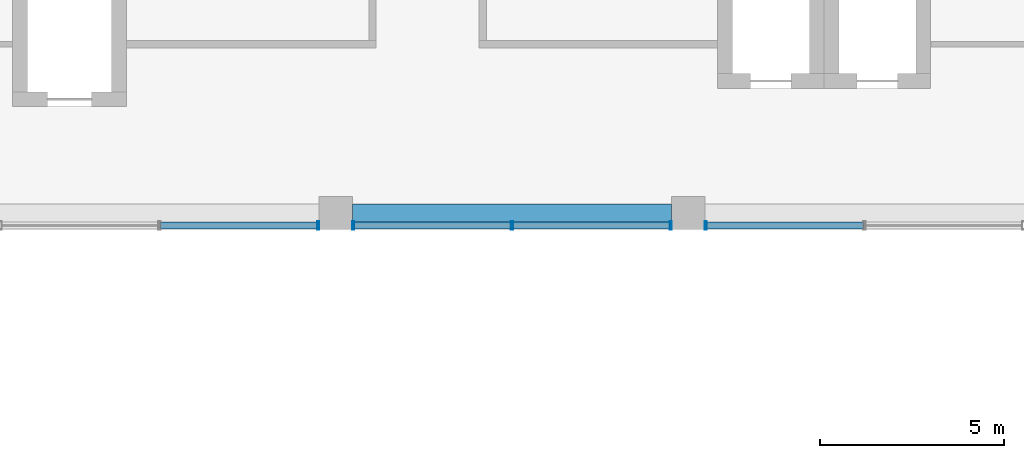
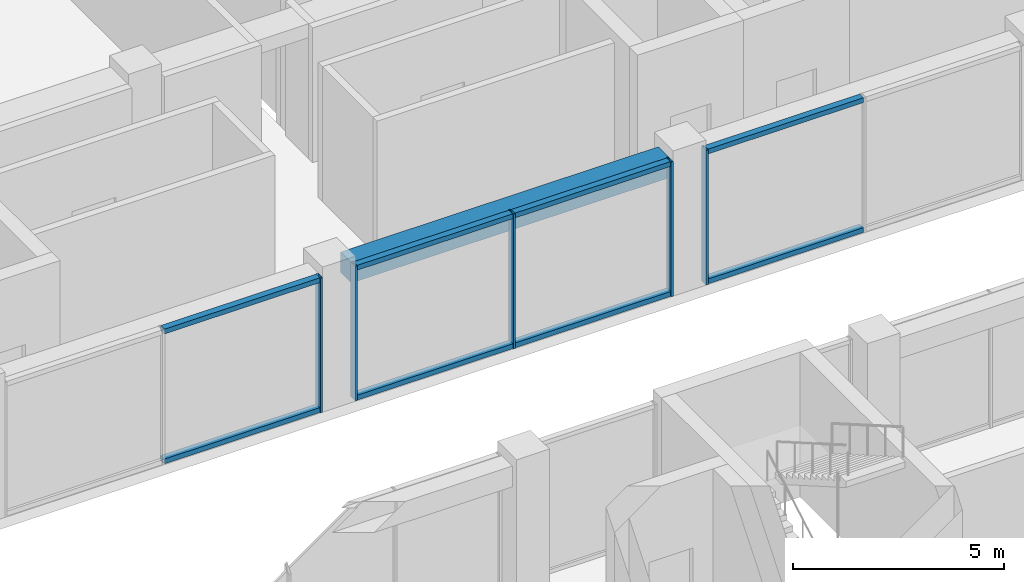
# One storey, part 10 of 37: 13 members, 1 beam, 3 elements without a shape of their own.
"""IFC4 building model written with IfcOpenShell, lengths in metres."""

import ifcopenshell
import ifcopenshell.guid

model = None  # the IFC model being written
_history = None  # IfcOwnerHistory: only IFC2X3 demands one
_inside = {}  # id of a spatial element -> (the spatial element, [elements in it])
_under = {}  # id of a project, library or spatial element -> (it, [spatial elements below it])
_declared = {}  # id of a project -> (the project, [libraries it declares])
_typed = {}  # id of a type object -> (the type object, [elements of that type])
_made_of = {}  # id of a material, layer set ... -> (it, [elements and type objects made of it])


def new_model(schema):
    """Start an empty IFC model of exactly this schema.

    Asked for "IFC4X3", IfcOpenShell would pick the latest addendum, in which some entities
    have other attributes; the version numbers below select the first issue.
    IFC2X3 requires an IfcOwnerHistory on every rooted entity: one is made here for all.
    """
    global model, _history
    if schema == "IFC4X3":
        model = ifcopenshell.file(schema_version=(4, 3, 0, 0))
    else:
        model = ifcopenshell.file(schema=schema)
    _inside.clear()
    _under.clear()
    _declared.clear()
    _typed.clear()
    _made_of.clear()
    _history = None
    if model.schema == "IFC2X3":
        org = make("IfcOrganization", Name="unknown")
        user = make(
            "IfcPersonAndOrganization",
            ThePerson=make("IfcPerson", FamilyName="unknown"),
            TheOrganization=org,
        )
        app = make(
            "IfcApplication",
            ApplicationDeveloper=org,
            Version="unknown",
            ApplicationFullName="unknown",
            ApplicationIdentifier="unknown",
        )
        _history = make(
            "IfcOwnerHistory",
            OwningUser=user,
            OwningApplication=app,
            ChangeAction="ADDED",
            CreationDate=0,
        )
    return model


def make(cls, **values):
    """One entity of the class cls with the attributes given. An attribute that is None is left unset."""
    return model.create_entity(
        cls, **{name: value for name, value in values.items() if value is not None}
    )


def rooted(cls, **values):
    """An entity with a GlobalId (a new one), such as an element, a storey or a relation."""
    return make(cls, GlobalId=ifcopenshell.guid.new(), OwnerHistory=_history, **values)


def si_unit(unit_type, name, prefix=None):
    """IfcSIUnit, for example si_unit("LENGTHUNIT", "METRE", prefix="MILLI")."""
    return make("IfcSIUnit", UnitType=unit_type, Prefix=prefix, Name=name)


def assignment(units):
    """IfcUnitAssignment: the units of a project."""
    return None if units is None else make("IfcUnitAssignment", Units=units)


def point(xyz):
    """IfcCartesianPoint."""
    return None if xyz is None else make("IfcCartesianPoint", Coordinates=xyz)


def direction(xyz):
    """IfcDirection."""
    return None if xyz is None else make("IfcDirection", DirectionRatios=xyz)


def frame(location, z_axis=None, x_axis=None):
    """IfcAxis2Placement3D, a coordinate frame: its origin and axes. An axis left out is left unset."""
    return make(
        "IfcAxis2Placement3D",
        Location=point(location),
        Axis=direction(z_axis),
        RefDirection=direction(x_axis),
    )


def frame_2d(location, x_axis=None):
    """IfcAxis2Placement2D, a coordinate frame in the plane: its origin and x axis."""
    return make(
        "IfcAxis2Placement2D", Location=point(location), RefDirection=direction(x_axis)
    )


def origin():
    """The frame at (0, 0, 0) with its axes left unset."""
    return frame((0.0, 0.0, 0.0))


def origin_2d():
    """The frame at (0, 0) in the plane with its x axis left unset."""
    return frame_2d((0.0, 0.0))


def place(relative_to, where):
    """IfcLocalPlacement: puts the frame where relative to a parent placement (None: the world)."""
    return make(
        "IfcLocalPlacement", PlacementRelTo=relative_to, RelativePlacement=where
    )


def context(
    kind, dimensions, precision=None, world=None, true_north=None, identifier=None
):
    """IfcGeometricRepresentationContext, for example the 3D "Model" context."""
    return make(
        "IfcGeometricRepresentationContext",
        ContextIdentifier=identifier,
        ContextType=kind,
        CoordinateSpaceDimension=dimensions,
        Precision=precision,
        WorldCoordinateSystem=world,
        TrueNorth=true_north,
    )


def subcontext(parent, identifier, kind, view, scale=None):
    """IfcGeometricRepresentationSubContext, for example "Body" below "Model"."""
    return make(
        "IfcGeometricRepresentationSubContext",
        ContextIdentifier=identifier,
        ContextType=kind,
        ParentContext=parent,
        TargetScale=scale,
        TargetView=view,
    )


def project(units=None, contexts=None):
    """IfcProject with its units and contexts."""
    return rooted(
        "IfcProject",
        Name="project",
        RepresentationContexts=contexts,
        UnitsInContext=assignment(units),
    )


def spatial(cls, under=None, at=None, **own):
    """A site, building, storey or space (cls), placed at a placement, below another one or the project."""
    s = rooted(cls, ObjectPlacement=at, **own)
    if under is not None:
        _under.setdefault(under.id(), (under, []))[1].append(s)
    return s


def profile(cls, at=None, kind="AREA", **sizes):
    """A parametric profile (cls). Its sizes go by their IFC names, for example OverallWidth=200.0."""
    return make(cls, ProfileType=kind, Position=at, **sizes)


def rectangle(**sizes):
    """IfcRectangleProfileDef."""
    return profile("IfcRectangleProfileDef", **sizes)


def hollow_rectangle(**sizes):
    """IfcRectangleHollowProfileDef."""
    return profile("IfcRectangleHollowProfileDef", **sizes)


def extrude(swept, where, along, depth):
    """IfcExtrudedAreaSolid: the profile swept, set in the frame where, extruded along a direction by depth."""
    return make(
        "IfcExtrudedAreaSolid",
        SweptArea=swept,
        Position=where,
        ExtrudedDirection=direction(along),
        Depth=depth,
    )


def shape(context_of_items, identifier, shape_type, items):
    """IfcShapeRepresentation: the items that make up one representation, for example the "Body"."""
    return make(
        "IfcShapeRepresentation",
        ContextOfItems=context_of_items,
        RepresentationIdentifier=identifier,
        RepresentationType=shape_type,
        Items=items,
    )


def material(Name=None, Category=None):
    """IfcMaterial."""
    return make("IfcMaterial", Name=Name, Category=Category)


def layer(
    of_material, thickness, ventilated=None, Name=None, Category=None, Priority=None
):
    """IfcMaterialLayer: one layer of a wall or slab, of a material (None: an air gap)."""
    return make(
        "IfcMaterialLayer",
        Material=of_material,
        LayerThickness=thickness,
        IsVentilated=ventilated,
        Name=Name,
        Category=Category,
        Priority=Priority,
    )


def layer_set(layers, Name=None):
    """IfcMaterialLayerSet."""
    return make("IfcMaterialLayerSet", MaterialLayers=layers, LayerSetName=Name)


def material_profile(
    of_material, cross_section, Name=None, Category=None, Priority=None
):
    """IfcMaterialProfile: a cross section and its material."""
    return make(
        "IfcMaterialProfile",
        Name=Name,
        Material=of_material,
        Profile=cross_section,
        Priority=Priority,
        Category=Category,
    )


def profile_set(profiles, Name=None, composite=None):
    """IfcMaterialProfileSet."""
    return make(
        "IfcMaterialProfileSet",
        Name=Name,
        MaterialProfiles=profiles,
        CompositeProfile=composite,
    )


def made_of(thing, what):
    """Note that an element or type object is made of a material, layer set ...; save() writes the relation."""
    if what is not None:
        _made_of.setdefault(what.id(), (what, []))[1].append(thing)
    return thing


def type_object(cls, material=None, **own):
    """A type object (cls), such as IfcWallType, which elements share."""
    return made_of(rooted(cls, **own), material)


def element(
    cls,
    number,
    at=None,
    inside=None,
    cuts=None,
    type_object=None,
    material=None,
    context=None,
    identifier="Body",
    shape_type=None,
    held_by="IfcProductDefinitionShape",
    body=None,
    shapes=None,
    **own,
):
    """One element of the class cls, such as IfcWall. Its Tag is "e" and its number.

    at: its placement. inside: the storey or other place that contains it. cuts: it is an
    opening in that element (IfcRelVoidsElement). A single representation is given by context,
    identifier, shape_type and body (its items); several are given by shapes. held_by: the class
    of the entity that holds the representations. save() writes the other relations.
    """
    e = rooted(cls, Tag="e%d" % number, ObjectPlacement=at, **own)
    if body is not None:
        shapes = [shape(context, identifier, shape_type, body)]
    if shapes is not None:
        e.Representation = make(held_by, Representations=shapes)
    if inside is not None:
        _inside.setdefault(inside.id(), (inside, []))[1].append(e)
    if cuts is not None:
        rooted(
            "IfcRelVoidsElement", RelatingBuildingElement=cuts, RelatedOpeningElement=e
        )
    if type_object is not None:
        _typed.setdefault(type_object.id(), (type_object, []))[1].append(e)
    return made_of(e, material)


def aggregate(whole, parts):
    """IfcRelAggregates: a whole, such as a stair, and the parts it consists of."""
    return rooted("IfcRelAggregates", RelatingObject=whole, RelatedObjects=parts)


def save(model, path):
    """Write the relations noted so far, then the file.

    IfcRelAggregates (storeys below a building ...), IfcRelContainedInSpatialStructure (elements
    in a storey), IfcRelDefinesByType, IfcRelAssociatesMaterial and IfcRelDeclares: one each for
    every whole, place, type object, material and project.
    """
    for whole, parts in _under.values():
        aggregate(whole, parts)
    for where, things in _inside.values():
        rooted(
            "IfcRelContainedInSpatialStructure",
            RelatedElements=things,
            RelatingStructure=where,
        )
    for kind, things in _typed.values():
        rooted("IfcRelDefinesByType", RelatedObjects=things, RelatingType=kind)
    for what, things in _made_of.values():
        rooted("IfcRelAssociatesMaterial", RelatedObjects=things, RelatingMaterial=what)
    for by, libraries in _declared.values():
        rooted("IfcRelDeclares", RelatingContext=by, RelatedDefinitions=libraries)
    model.write(path)


model = new_model("IFC4")

# Units and contexts
model_context = context("Model", 3, precision=1e-05, world=origin(), true_north=direction((0.0, 1.0)))
body_context = subcontext(model_context, "Body", "Model", "MODEL_VIEW")
ifc_project = project(units=[si_unit("LENGTHUNIT", "METRE"), si_unit("AREAUNIT", "SQUARE_METRE"), si_unit("VOLUMEUNIT", "CUBIC_METRE"), si_unit("PLANEANGLEUNIT", "RADIAN"), si_unit("MASSUNIT", "GRAM", prefix="KILO")], contexts=[model_context])

# Site, building, storey
site_placement = place(None, origin())
site = spatial("IfcSite", under=ifc_project, at=site_placement, CompositionType="ELEMENT")
building_placement = place(site_placement, origin())
building = spatial("IfcBuilding", under=site, at=building_placement, Name="Nzadi Deep Aquarium and Research Tower", CompositionType="ELEMENT")
storey_placement = place(building_placement, frame((0.0, 0.0, 57.10009765625)))
storey = spatial("IfcBuildingStorey", under=building, at=storey_placement, Name="L11", CompositionType="ELEMENT", Elevation=57.10009765625)

# Curtain wall, member
ifc_material_1 = material(Name="Aluminium unitised frame deep", Category="aluminium")
ifc_layer = layer(ifc_material_1, 0.22509765625)
ifc_layer_set = layer_set([ifc_layer], Name="Aluminium unitised frame deep")
curtain_wall_type = type_object("IfcCurtainWallType", Name="Curtain wall Unitised Deep 225", PredefinedType="NOTDEFINED", material=ifc_layer_set)
curtain_wall_1_placement = place(storey_placement, origin())
curtain_wall_1 = element("IfcCurtainWall", 1, at=curtain_wall_1_placement, inside=storey, type_object=curtain_wall_type, Name="Unitised curtain wall blade B south L11", PredefinedType="NOTDEFINED")
ifc_material_2 = material(Name="Aluminium unitised frame deep", Category="aluminium")
ifc_material_profile_1 = material_profile(ifc_material_2, hollow_rectangle(XDim=0.22509765625, YDim=0.06005859375, WallThickness=0.0048828125, at=origin_2d()))
ifc_profile_set_1 = profile_set([ifc_material_profile_1], Name="Aluminium unitised frame deep")
member_type_1 = type_object("IfcMemberType", Name="Mullion 60x225 Unitised Deep", PredefinedType="MULLION", material=ifc_profile_set_1)
member_1_placement = place(storey_placement, frame((18.719970703125, 27.262451171875, 0.0), z_axis=(0.0, 0.0, 1.0), x_axis=(0.0, 1.0, 0.0)))
member_1 = element("IfcMember", 2, at=member_1_placement, type_object=member_type_1, Name="CW141 mullion 3", PredefinedType="MULLION", context=body_context, shape_type="SweptSolid", body=[
    extrude(hollow_rectangle(XDim=0.22509765625, YDim=0.06005859375, WallThickness=0.0048828125, at=origin_2d()), origin(), (0.0, 0.0, 1.0), 3.89990234375),
])

# Curtain wall, members
curtain_wall_2_placement = place(storey_placement, origin())
curtain_wall_2 = element("IfcCurtainWall", 3, at=curtain_wall_2_placement, inside=storey, type_object=curtain_wall_type, Name="Unitised curtain wall blade B south L11", PredefinedType="NOTDEFINED")
member_2_placement = place(storey_placement, frame((19.679931640625, 27.262451171875, 0.0), z_axis=(0.0, 0.0, 1.0), x_axis=(0.0, 1.0, 0.0)))
member_2 = element("IfcMember", 4, at=member_2_placement, type_object=member_type_1, Name="CW142 mullion 1", PredefinedType="MULLION", context=body_context, shape_type="SweptSolid", body=[
    extrude(hollow_rectangle(XDim=0.22509765625, YDim=0.06005859375, WallThickness=0.0048828125, at=origin_2d()), origin(), (0.0, 0.0, 1.0), 3.89990234375),
])
member_3_placement = place(storey_placement, frame((24.0, 27.262451171875, 0.0), z_axis=(0.0, 0.0, 1.0), x_axis=(0.0, 1.0, 0.0)))
member_3 = element("IfcMember", 5, at=member_3_placement, type_object=member_type_1, Name="CW142 mullion 2", PredefinedType="MULLION", context=body_context, shape_type="SweptSolid", body=[
    extrude(hollow_rectangle(XDim=0.22509765625, YDim=0.06005859375, WallThickness=0.0048828125, at=origin_2d()), origin(), (0.0, 0.0, 1.0), 3.89990234375),
])
member_4_placement = place(storey_placement, frame((28.320068359375, 27.262451171875, 0.0), z_axis=(0.0, 0.0, 1.0), x_axis=(0.0, 1.0, 0.0)))
member_4 = element("IfcMember", 6, at=member_4_placement, type_object=member_type_1, Name="CW142 mullion 3", PredefinedType="MULLION", context=body_context, shape_type="SweptSolid", body=[
    extrude(hollow_rectangle(XDim=0.22509765625, YDim=0.06005859375, WallThickness=0.0048828125, at=origin_2d()), origin(), (0.0, 0.0, 1.0), 3.89990234375),
])

# Curtain wall, member
curtain_wall_3_placement = place(storey_placement, origin())
curtain_wall_3 = element("IfcCurtainWall", 7, at=curtain_wall_3_placement, inside=storey, type_object=curtain_wall_type, Name="Unitised curtain wall blade B south L11", PredefinedType="NOTDEFINED")
member_5_placement = place(storey_placement, frame((29.280029296875, 27.262451171875, 0.0), z_axis=(0.0, 0.0, 1.0), x_axis=(0.0, 1.0, 0.0)))
member_5 = element("IfcMember", 8, at=member_5_placement, type_object=member_type_1, Name="CW143 mullion 1", PredefinedType="MULLION", context=body_context, shape_type="SweptSolid", body=[
    extrude(hollow_rectangle(XDim=0.22509765625, YDim=0.06005859375, WallThickness=0.0048828125, at=origin_2d()), origin(), (0.0, 0.0, 1.0), 3.89990234375),
])

# Beam
ifc_material_3 = material(Name="Concrete C35/45", Category="concrete")
ifc_material_profile_2 = material_profile(ifc_material_3, rectangle(XDim=0.5, YDim=0.60009765625, at=origin_2d()))
ifc_profile_set_2 = profile_set([ifc_material_profile_2], Name="Concrete C35/45")
beam_type = type_object("IfcBeamType", Name="RC 500x600", PredefinedType="BEAM", material=ifc_profile_set_2)
beam_placement = place(storey_placement, frame((19.64990234375, 27.60009765625, 3.599853515625), z_axis=(1.0, 0.0, 0.0), x_axis=(0.0, 1.0, 0.0)))
element("IfcBeam", 9, at=beam_placement, inside=storey, type_object=beam_type, Name="B-Z1-L11-L4-3", PredefinedType="BEAM", context=body_context, shape_type="SweptSolid", body=[
    extrude(rectangle(XDim=0.5, YDim=0.60009765625, at=origin_2d()), origin(), (0.0, 0.0, 1.0), 8.7001953125),
])

# Member
ifc_material_4 = material(Name="Aluminium unitised frame deep", Category="aluminium")
ifc_material_profile_3 = material_profile(ifc_material_4, hollow_rectangle(XDim=0.179931640625, YDim=0.139892578125, WallThickness=0.0048828125, at=origin_2d()))
ifc_profile_set_3 = profile_set([ifc_material_profile_3], Name="Aluminium unitised frame deep")
member_type_2 = type_object("IfcMemberType", Name="Transom 140x180 Unitised Deep", PredefinedType="MULLION", material=ifc_profile_set_3)
member_6_placement = place(storey_placement, frame((14.429931640625, 27.262451171875, 0.06982421875), z_axis=(1.0, 0.0, 0.0), x_axis=(0.0, 1.0, 0.0)))
member_6 = element("IfcMember", 10, at=member_6_placement, type_object=member_type_2, Name="CW141 transom 2.1", PredefinedType="MULLION", context=body_context, shape_type="SweptSolid", body=[
    extrude(hollow_rectangle(XDim=0.179931640625, YDim=0.139892578125, WallThickness=0.0048828125, at=origin_2d()), origin(), (0.0, 0.0, 1.0), 4.260009765625),
])

member_7_placement = place(storey_placement, frame((14.429931640625, 27.262451171875, 3.829833984375), z_axis=(1.0, 0.0, 0.0), x_axis=(0.0, 1.0, 0.0)))
member_7 = element("IfcMember", 11, at=member_7_placement, type_object=member_type_2, Name="CW141 transom 2.2", PredefinedType="MULLION", context=body_context, shape_type="SweptSolid", body=[
    extrude(hollow_rectangle(XDim=0.179931640625, YDim=0.139892578125, WallThickness=0.0048828125, at=origin_2d()), origin(), (0.0, 0.0, 1.0), 4.260009765625),
])

aggregate(curtain_wall_1, [member_1, member_6, member_7])

member_8_placement = place(storey_placement, frame((19.7099609375, 27.262451171875, 0.06982421875), z_axis=(1.0, 0.0, 0.0), x_axis=(0.0, 1.0, 0.0)))
member_8 = element("IfcMember", 12, at=member_8_placement, type_object=member_type_2, Name="CW142 transom 1.1", PredefinedType="MULLION", context=body_context, shape_type="SweptSolid", body=[
    extrude(hollow_rectangle(XDim=0.179931640625, YDim=0.139892578125, WallThickness=0.0048828125, at=origin_2d()), origin(), (0.0, 0.0, 1.0), 4.260009765625),
])

member_9_placement = place(storey_placement, frame((19.7099609375, 27.262451171875, 3.829833984375), z_axis=(1.0, 0.0, 0.0), x_axis=(0.0, 1.0, 0.0)))
member_9 = element("IfcMember", 13, at=member_9_placement, type_object=member_type_2, Name="CW142 transom 1.2", PredefinedType="MULLION", context=body_context, shape_type="SweptSolid", body=[
    extrude(hollow_rectangle(XDim=0.179931640625, YDim=0.139892578125, WallThickness=0.0048828125, at=origin_2d()), origin(), (0.0, 0.0, 1.0), 4.260009765625),
])

member_10_placement = place(storey_placement, frame((24.030029296875, 27.262451171875, 0.06982421875), z_axis=(1.0, 0.0, 0.0), x_axis=(0.0, 1.0, 0.0)))
member_10 = element("IfcMember", 14, at=member_10_placement, type_object=member_type_2, Name="CW142 transom 2.1", PredefinedType="MULLION", context=body_context, shape_type="SweptSolid", body=[
    extrude(hollow_rectangle(XDim=0.179931640625, YDim=0.139892578125, WallThickness=0.0048828125, at=origin_2d()), origin(), (0.0, 0.0, 1.0), 4.260009765625),
])

member_11_placement = place(storey_placement, frame((24.030029296875, 27.262451171875, 3.829833984375), z_axis=(1.0, 0.0, 0.0), x_axis=(0.0, 1.0, 0.0)))
member_11 = element("IfcMember", 15, at=member_11_placement, type_object=member_type_2, Name="CW142 transom 2.2", PredefinedType="MULLION", context=body_context, shape_type="SweptSolid", body=[
    extrude(hollow_rectangle(XDim=0.179931640625, YDim=0.139892578125, WallThickness=0.0048828125, at=origin_2d()), origin(), (0.0, 0.0, 1.0), 4.260009765625),
])

aggregate(curtain_wall_2, [member_2, member_3, member_4, member_8, member_9, member_10, member_11])

member_12_placement = place(storey_placement, frame((29.31005859375, 27.262451171875, 0.06982421875), z_axis=(1.0, 0.0, 0.0), x_axis=(0.0, 1.0, 0.0)))
member_12 = element("IfcMember", 16, at=member_12_placement, type_object=member_type_2, Name="CW143 transom 1.1", PredefinedType="MULLION", context=body_context, shape_type="SweptSolid", body=[
    extrude(hollow_rectangle(XDim=0.179931640625, YDim=0.139892578125, WallThickness=0.0048828125, at=origin_2d()), origin(), (0.0, 0.0, 1.0), 4.260009765625),
])

member_13_placement = place(storey_placement, frame((29.31005859375, 27.262451171875, 3.829833984375), z_axis=(1.0, 0.0, 0.0), x_axis=(0.0, 1.0, 0.0)))
member_13 = element("IfcMember", 17, at=member_13_placement, type_object=member_type_2, Name="CW143 transom 1.2", PredefinedType="MULLION", context=body_context, shape_type="SweptSolid", body=[
    extrude(hollow_rectangle(XDim=0.179931640625, YDim=0.139892578125, WallThickness=0.0048828125, at=origin_2d()), origin(), (0.0, 0.0, 1.0), 4.260009765625),
])

aggregate(curtain_wall_3, [member_5, member_12, member_13])

save(model, "model.ifc")
